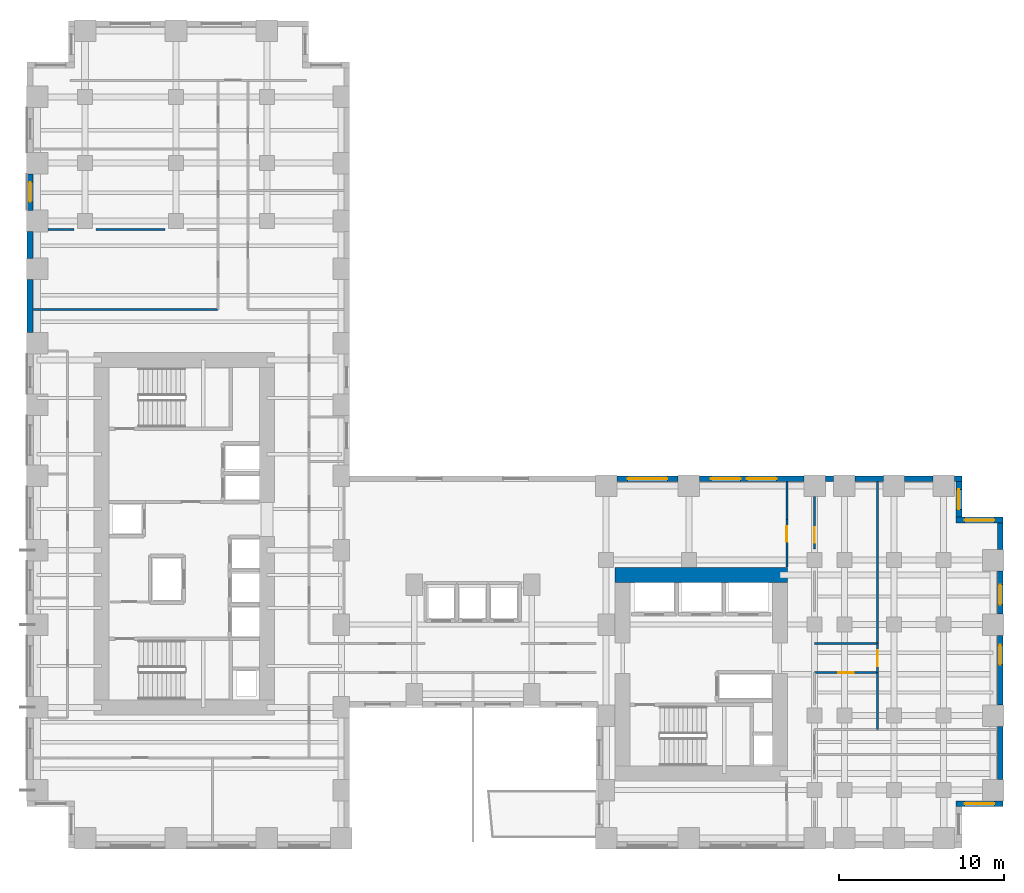
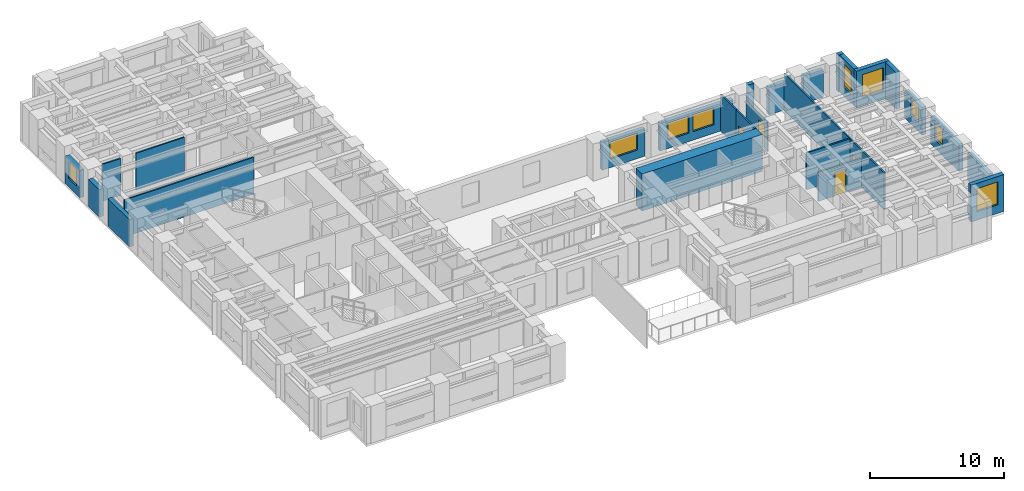
# One storey, part 8 of 13: 28 walls, 9 windows, 4 doors, 13 openings.
"""IFC4 building model written with IfcOpenShell, lengths in metres."""

import ifcopenshell
import ifcopenshell.guid

model = None  # the IFC model being written
_history = None  # IfcOwnerHistory: only IFC2X3 demands one
_inside = {}  # id of a spatial element -> (the spatial element, [elements in it])
_under = {}  # id of a project, library or spatial element -> (it, [spatial elements below it])
_declared = {}  # id of a project -> (the project, [libraries it declares])
_typed = {}  # id of a type object -> (the type object, [elements of that type])
_made_of = {}  # id of a material, layer set ... -> (it, [elements and type objects made of it])


def new_model(schema):
    """Start an empty IFC model of exactly this schema.

    Asked for "IFC4X3", IfcOpenShell would pick the latest addendum, in which some entities
    have other attributes; the version numbers below select the first issue.
    IFC2X3 requires an IfcOwnerHistory on every rooted entity: one is made here for all.
    """
    global model, _history
    if schema == "IFC4X3":
        model = ifcopenshell.file(schema_version=(4, 3, 0, 0))
    else:
        model = ifcopenshell.file(schema=schema)
    _inside.clear()
    _under.clear()
    _declared.clear()
    _typed.clear()
    _made_of.clear()
    _history = None
    if model.schema == "IFC2X3":
        org = make("IfcOrganization", Name="unknown")
        user = make(
            "IfcPersonAndOrganization",
            ThePerson=make("IfcPerson", FamilyName="unknown"),
            TheOrganization=org,
        )
        app = make(
            "IfcApplication",
            ApplicationDeveloper=org,
            Version="unknown",
            ApplicationFullName="unknown",
            ApplicationIdentifier="unknown",
        )
        _history = make(
            "IfcOwnerHistory",
            OwningUser=user,
            OwningApplication=app,
            ChangeAction="ADDED",
            CreationDate=0,
        )
    return model


def make(cls, **values):
    """One entity of the class cls with the attributes given. An attribute that is None is left unset."""
    return model.create_entity(
        cls, **{name: value for name, value in values.items() if value is not None}
    )


def rooted(cls, **values):
    """An entity with a GlobalId (a new one), such as an element, a storey or a relation."""
    return make(cls, GlobalId=ifcopenshell.guid.new(), OwnerHistory=_history, **values)


def si_unit(unit_type, name, prefix=None):
    """IfcSIUnit, for example si_unit("LENGTHUNIT", "METRE", prefix="MILLI")."""
    return make("IfcSIUnit", UnitType=unit_type, Prefix=prefix, Name=name)


def assignment(units):
    """IfcUnitAssignment: the units of a project."""
    return None if units is None else make("IfcUnitAssignment", Units=units)


def point(xyz):
    """IfcCartesianPoint."""
    return None if xyz is None else make("IfcCartesianPoint", Coordinates=xyz)


def direction(xyz):
    """IfcDirection."""
    return None if xyz is None else make("IfcDirection", DirectionRatios=xyz)


def frame(location, z_axis=None, x_axis=None):
    """IfcAxis2Placement3D, a coordinate frame: its origin and axes. An axis left out is left unset."""
    return make(
        "IfcAxis2Placement3D",
        Location=point(location),
        Axis=direction(z_axis),
        RefDirection=direction(x_axis),
    )


def frame_2d(location, x_axis=None):
    """IfcAxis2Placement2D, a coordinate frame in the plane: its origin and x axis."""
    return make(
        "IfcAxis2Placement2D", Location=point(location), RefDirection=direction(x_axis)
    )


def origin():
    """The frame at (0, 0, 0) with its axes left unset."""
    return frame((0.0, 0.0, 0.0))


def place(relative_to, where):
    """IfcLocalPlacement: puts the frame where relative to a parent placement (None: the world)."""
    return make(
        "IfcLocalPlacement", PlacementRelTo=relative_to, RelativePlacement=where
    )


def context(
    kind, dimensions, precision=None, world=None, true_north=None, identifier=None
):
    """IfcGeometricRepresentationContext, for example the 3D "Model" context."""
    return make(
        "IfcGeometricRepresentationContext",
        ContextIdentifier=identifier,
        ContextType=kind,
        CoordinateSpaceDimension=dimensions,
        Precision=precision,
        WorldCoordinateSystem=world,
        TrueNorth=true_north,
    )


def subcontext(parent, identifier, kind, view, scale=None):
    """IfcGeometricRepresentationSubContext, for example "Body" below "Model"."""
    return make(
        "IfcGeometricRepresentationSubContext",
        ContextIdentifier=identifier,
        ContextType=kind,
        ParentContext=parent,
        TargetScale=scale,
        TargetView=view,
    )


def project(units=None, contexts=None):
    """IfcProject with its units and contexts."""
    return rooted(
        "IfcProject",
        Name="project",
        RepresentationContexts=contexts,
        UnitsInContext=assignment(units),
    )


def spatial(cls, under=None, at=None, **own):
    """A site, building, storey or space (cls), placed at a placement, below another one or the project."""
    s = rooted(cls, ObjectPlacement=at, **own)
    if under is not None:
        _under.setdefault(under.id(), (under, []))[1].append(s)
    return s


def profile(cls, at=None, kind="AREA", **sizes):
    """A parametric profile (cls). Its sizes go by their IFC names, for example OverallWidth=200.0."""
    return make(cls, ProfileType=kind, Position=at, **sizes)


def rectangle(**sizes):
    """IfcRectangleProfileDef."""
    return profile("IfcRectangleProfileDef", **sizes)


def extrude(swept, where, along, depth):
    """IfcExtrudedAreaSolid: the profile swept, set in the frame where, extruded along a direction by depth."""
    return make(
        "IfcExtrudedAreaSolid",
        SweptArea=swept,
        Position=where,
        ExtrudedDirection=direction(along),
        Depth=depth,
    )


def shape(context_of_items, identifier, shape_type, items):
    """IfcShapeRepresentation: the items that make up one representation, for example the "Body"."""
    return make(
        "IfcShapeRepresentation",
        ContextOfItems=context_of_items,
        RepresentationIdentifier=identifier,
        RepresentationType=shape_type,
        Items=items,
    )


def source(mapping_origin, context_of_items, identifier, shape_type, items):
    """IfcRepresentationMap: a shape defined once, which mapped items show again and again."""
    return make(
        "IfcRepresentationMap",
        MappingOrigin=mapping_origin,
        MappedRepresentation=shape(context_of_items, identifier, shape_type, items),
    )


def transform(
    local_origin,
    x_axis=None,
    y_axis=None,
    z_axis=None,
    scale=None,
    scale2=None,
    scale3=None,
    uniform=True,
):
    """IfcCartesianTransformationOperator3D, or its non-uniform kind. x_axis, y_axis, z_axis: its Axis1, 2, 3."""
    if uniform:
        return make(
            "IfcCartesianTransformationOperator3D",
            Axis1=direction(x_axis),
            Axis2=direction(y_axis),
            LocalOrigin=point(local_origin),
            Scale=scale,
            Axis3=direction(z_axis),
        )
    return make(
        "IfcCartesianTransformationOperator3DnonUniform",
        Axis1=direction(x_axis),
        Axis2=direction(y_axis),
        LocalOrigin=point(local_origin),
        Scale=scale,
        Axis3=direction(z_axis),
        Scale2=scale2,
        Scale3=scale3,
    )


def mapped(mapping_source, mapping_target):
    """IfcMappedItem: shows the shape of a source again, moved by a transform."""
    return make(
        "IfcMappedItem", MappingSource=mapping_source, MappingTarget=mapping_target
    )


def material(Name=None, Category=None):
    """IfcMaterial."""
    return make("IfcMaterial", Name=Name, Category=Category)


def layer(
    of_material, thickness, ventilated=None, Name=None, Category=None, Priority=None
):
    """IfcMaterialLayer: one layer of a wall or slab, of a material (None: an air gap)."""
    return make(
        "IfcMaterialLayer",
        Material=of_material,
        LayerThickness=thickness,
        IsVentilated=ventilated,
        Name=Name,
        Category=Category,
        Priority=Priority,
    )


def layer_set(layers, Name=None):
    """IfcMaterialLayerSet."""
    return make("IfcMaterialLayerSet", MaterialLayers=layers, LayerSetName=Name)


def made_of(thing, what):
    """Note that an element or type object is made of a material, layer set ...; save() writes the relation."""
    if what is not None:
        _made_of.setdefault(what.id(), (what, []))[1].append(thing)
    return thing


def type_object(cls, material=None, **own):
    """A type object (cls), such as IfcWallType, which elements share."""
    return made_of(rooted(cls, **own), material)


def element(
    cls,
    number,
    at=None,
    inside=None,
    cuts=None,
    type_object=None,
    material=None,
    context=None,
    identifier="Body",
    shape_type=None,
    held_by="IfcProductDefinitionShape",
    body=None,
    shapes=None,
    **own,
):
    """One element of the class cls, such as IfcWall. Its Tag is "e" and its number.

    at: its placement. inside: the storey or other place that contains it. cuts: it is an
    opening in that element (IfcRelVoidsElement). A single representation is given by context,
    identifier, shape_type and body (its items); several are given by shapes. held_by: the class
    of the entity that holds the representations. save() writes the other relations.
    """
    e = rooted(cls, Tag="e%d" % number, ObjectPlacement=at, **own)
    if body is not None:
        shapes = [shape(context, identifier, shape_type, body)]
    if shapes is not None:
        e.Representation = make(held_by, Representations=shapes)
    if inside is not None:
        _inside.setdefault(inside.id(), (inside, []))[1].append(e)
    if cuts is not None:
        rooted(
            "IfcRelVoidsElement", RelatingBuildingElement=cuts, RelatedOpeningElement=e
        )
    if type_object is not None:
        _typed.setdefault(type_object.id(), (type_object, []))[1].append(e)
    return made_of(e, material)


def fill(opening, filler):
    """IfcRelFillsElement: the door or window that sits in an opening."""
    return rooted(
        "IfcRelFillsElement",
        RelatingOpeningElement=opening,
        RelatedBuildingElement=filler,
    )


def aggregate(whole, parts):
    """IfcRelAggregates: a whole, such as a stair, and the parts it consists of."""
    return rooted("IfcRelAggregates", RelatingObject=whole, RelatedObjects=parts)


def save(model, path):
    """Write the relations noted so far, then the file.

    IfcRelAggregates (storeys below a building ...), IfcRelContainedInSpatialStructure (elements
    in a storey), IfcRelDefinesByType, IfcRelAssociatesMaterial and IfcRelDeclares: one each for
    every whole, place, type object, material and project.
    """
    for whole, parts in _under.values():
        aggregate(whole, parts)
    for where, things in _inside.values():
        rooted(
            "IfcRelContainedInSpatialStructure",
            RelatedElements=things,
            RelatingStructure=where,
        )
    for kind, things in _typed.values():
        rooted("IfcRelDefinesByType", RelatedObjects=things, RelatingType=kind)
    for what, things in _made_of.values():
        rooted("IfcRelAssociatesMaterial", RelatedObjects=things, RelatingMaterial=what)
    for by, libraries in _declared.values():
        rooted("IfcRelDeclares", RelatingContext=by, RelatedDefinitions=libraries)
    model.write(path)


model = new_model("IFC4")

# Units and contexts
model_context = context("Model", 3, precision=1e-05, world=origin(), true_north=direction((0.0, 1.0)))
body_context = subcontext(model_context, "Body", "Model", "MODEL_VIEW")
ifc_project = project(units=[si_unit("LENGTHUNIT", "METRE"), si_unit("AREAUNIT", "SQUARE_METRE"), si_unit("VOLUMEUNIT", "CUBIC_METRE"), si_unit("PLANEANGLEUNIT", "RADIAN"), si_unit("MASSUNIT", "GRAM", prefix="KILO")], contexts=[model_context])

# Site, building, storey
site_placement = place(None, origin())
site = spatial("IfcSite", under=ifc_project, at=site_placement, CompositionType="ELEMENT")
building_placement = place(site_placement, origin())
building = spatial("IfcBuilding", under=site, at=building_placement, Name="Kharzan Plaza Tower", CompositionType="ELEMENT")
storey_placement = place(building_placement, frame((0.0, 0.0, 47.699951171875)))
storey = spatial("IfcBuildingStorey", under=building, at=storey_placement, Name="L12", CompositionType="ELEMENT", Elevation=47.699951171875)

# Wall, opening, window
ifc_material_1 = material(Name="Concrete C40/50", Category="concrete")
ifc_layer_1 = layer(ifc_material_1, 0.35009765625)
ifc_layer_set_1 = layer_set([ifc_layer_1], Name="Concrete C40/50")
wall_type_1 = type_object("IfcWallType", Name="WL-EXT-MAS-Z1", PredefinedType="SOLIDWALL", material=ifc_layer_set_1)
wall_1_placement = place(storey_placement, frame((0.175048828125, 40.751953125, 0.0), z_axis=(0.0, 0.0, 1.0), x_axis=(0.0, -1.0, 0.0)))
wall_1 = element("IfcWall", 1, at=wall_1_placement, inside=storey, type_object=wall_type_1, Name="L12 Masonry-Frame Exterior Wall 11", PredefinedType="SOLIDWALL", context=body_context, shape_type="SweptSolid", body=[
    extrude(rectangle(XDim=2.203857421875, YDim=0.35009765625, at=frame_2d((1.10205078125, 0.0))), origin(), (0.0, 0.0, 1.0), 2.510009765625),
])
opening_1_placement = place(wall_1_placement, frame((0.501953125, 0.0, 0.780029296875)))
opening_1 = element("IfcOpeningElement", 2, at=opening_1_placement, cuts=wall_1, Name="Opening W3", PredefinedType="OPENING", context=body_context, shape_type="SweptSolid", body=[
    extrude(rectangle(XDim=1.199951171875, YDim=1.550048828125, at=frame_2d((0.60009765625, 0.77490234375))), frame((0.0, 0.18505859375, 0.0), z_axis=(0.0, -1.0, 0.0), x_axis=(1.0, 0.0, 0.0)), (0.0, 0.0, 1.0), 0.3701171875),
])
ifc_material_2 = material(Name="Low-E Double Glazing", Category="glass")
window_type_1 = type_object("IfcWindowType", Name="WN-REC-1200x2100", PartitioningType="SINGLE_PANEL", PredefinedType="WINDOW", material=ifc_material_2)
shared_shape_1 = source(origin(), body_context, "Body", "SweptSolid", [
    extrude(rectangle(XDim=1.199951171875, YDim=1.550048828125, at=frame_2d((0.60009765625, 0.77490234375))), frame((0.0, 0.030029296875, 0.0), z_axis=(0.0, -1.0, 0.0), x_axis=(1.0, 0.0, 0.0)), (0.0, 0.0, 1.0), 0.06005859375),
])
window_1_placement = place(opening_1_placement, origin())
window_1 = element("IfcWindow", 3, at=window_1_placement, inside=storey, type_object=window_type_1, Name="L12 Recessed Solar-Control Window 11-1", OverallHeight=1.550048828125, OverallWidth=1.199951171875, PartitioningType="SINGLE_PANEL", PredefinedType="WINDOW", context=body_context, shape_type="MappedRepresentation", body=[
    mapped(shared_shape_1, transform((0.0, 0.0, 0.0), x_axis=(1.0, 0.0, 0.0), y_axis=(0.0, 1.0, 0.0), z_axis=(0.0, 0.0, 1.0))),
])
fill(opening_1, window_1)

wall_2_placement = place(storey_placement, frame((56.14990234375, 2.675048828125, 0.0), z_axis=(0.0, 0.0, 1.0), x_axis=(1.0, 0.0, 0.0)))
wall_2 = element("IfcWall", 4, at=wall_2_placement, inside=storey, type_object=wall_type_1, Name="L12 Masonry-Frame Exterior Wall 40", PredefinedType="SOLIDWALL", context=body_context, shape_type="SweptSolid", body=[
    extrude(rectangle(XDim=2.85009765625, YDim=0.35009765625, at=frame_2d((1.425048828125, 0.0))), origin(), (0.0, 0.0, 1.0), 3.364990234375),
])
opening_2_placement = place(wall_2_placement, frame((0.52490234375, 0.0, 0.780029296875)))
opening_2 = element("IfcOpeningElement", 5, at=opening_2_placement, cuts=wall_2, Name="Opening W1", PredefinedType="OPENING", context=body_context, shape_type="SweptSolid", body=[
    extrude(rectangle(XDim=1.800048828125, YDim=2.10009765625, at=frame_2d((0.89990234375, 1.050048828125))), frame((0.0, 0.18505859375, 0.0), z_axis=(0.0, -1.0, 0.0), x_axis=(1.0, 0.0, 0.0)), (0.0, 0.0, 1.0), 0.3701171875),
])
window_type_2 = type_object("IfcWindowType", Name="WN-REC-1800x2100", PartitioningType="SINGLE_PANEL", PredefinedType="WINDOW", material=ifc_material_2)
shared_shape_2 = source(origin(), body_context, "Body", "SweptSolid", [
    extrude(rectangle(XDim=1.800048828125, YDim=2.10009765625, at=frame_2d((0.89990234375, 1.050048828125))), frame((0.0, 0.030029296875, 0.0), z_axis=(0.0, -1.0, 0.0), x_axis=(1.0, 0.0, 0.0)), (0.0, 0.0, 1.0), 0.06005859375),
])
window_2_placement = place(opening_2_placement, origin())
window_2 = element("IfcWindow", 6, at=window_2_placement, inside=storey, type_object=window_type_2, Name="L12 Recessed Solar-Control Window 40-1", OverallHeight=2.10009765625, OverallWidth=1.800048828125, PartitioningType="SINGLE_PANEL", PredefinedType="WINDOW", context=body_context, shape_type="MappedRepresentation", body=[
    mapped(shared_shape_2, transform((0.0, 0.0, 0.0), x_axis=(1.0, 0.0, 0.0), y_axis=(0.0, 1.0, 0.0), z_axis=(0.0, 0.0, 1.0))),
])
fill(opening_2, window_2)

wall_3_placement = place(storey_placement, frame((58.824951171875, 8.64794921875, 0.0), z_axis=(0.0, 0.0, 1.0), x_axis=(0.0, 1.0, 0.0)))
wall_3 = element("IfcWall", 7, at=wall_3_placement, inside=storey, type_object=wall_type_1, Name="L12 Masonry-Frame Exterior Wall 42", PredefinedType="SOLIDWALL", context=body_context, shape_type="SweptSolid", body=[
    extrude(rectangle(XDim=4.2041015625, YDim=0.35009765625, at=frame_2d((2.10205078125, 0.0))), origin(), (0.0, 0.0, 1.0), 2.510009765625),
])
opening_3_placement = place(wall_3_placement, frame((2.436767578125, 0.0, 0.780029296875)))
opening_3 = element("IfcOpeningElement", 8, at=opening_3_placement, cuts=wall_3, Name="Opening W3", PredefinedType="OPENING", context=body_context, shape_type="SweptSolid", body=[
    extrude(rectangle(XDim=1.199951171875, YDim=1.550048828125, at=frame_2d((0.60009765625, 0.77490234375))), frame((0.0, 0.18505859375, 0.0), z_axis=(0.0, -1.0, 0.0), x_axis=(1.0, 0.0, 0.0)), (0.0, 0.0, 1.0), 0.3701171875),
])
window_3_placement = place(opening_3_placement, origin())
window_3 = element("IfcWindow", 9, at=window_3_placement, inside=storey, type_object=window_type_1, Name="L12 Recessed Solar-Control Window 42-1", OverallHeight=1.550048828125, OverallWidth=1.199951171875, PartitioningType="SINGLE_PANEL", PredefinedType="WINDOW", context=body_context, shape_type="MappedRepresentation", body=[
    mapped(shared_shape_1, transform((0.0, 0.0, 0.0), x_axis=(1.0, 0.0, 0.0), y_axis=(0.0, 1.0, 0.0), z_axis=(0.0, 0.0, 1.0))),
])
fill(opening_3, window_3)

wall_4_placement = place(storey_placement, frame((58.824951171875, 14.14794921875, 0.0), z_axis=(0.0, 0.0, 1.0), x_axis=(0.0, 1.0, 0.0)))
wall_4 = element("IfcWall", 10, at=wall_4_placement, inside=storey, type_object=wall_type_1, Name="L12 Masonry-Frame Exterior Wall 43", PredefinedType="SOLIDWALL", context=body_context, shape_type="SweptSolid", body=[
    extrude(rectangle(XDim=2.60400390625, YDim=0.35009765625, at=frame_2d((1.302001953125, 0.0))), origin(), (0.0, 0.0, 1.0), 2.510009765625),
])
opening_4_placement = place(wall_4_placement, frame((0.5673828125, 0.0, 0.780029296875)))
opening_4 = element("IfcOpeningElement", 11, at=opening_4_placement, cuts=wall_4, Name="Opening W3", PredefinedType="OPENING", context=body_context, shape_type="SweptSolid", body=[
    extrude(rectangle(XDim=1.199951171875, YDim=1.550048828125, at=frame_2d((0.60009765625, 0.77490234375))), frame((0.0, 0.18505859375, 0.0), z_axis=(0.0, -1.0, 0.0), x_axis=(1.0, 0.0, 0.0)), (0.0, 0.0, 1.0), 0.3701171875),
])
window_4_placement = place(opening_4_placement, origin())
window_4 = element("IfcWindow", 12, at=window_4_placement, inside=storey, type_object=window_type_1, Name="L12 Recessed Solar-Control Window 43-1", OverallHeight=1.550048828125, OverallWidth=1.199951171875, PartitioningType="SINGLE_PANEL", PredefinedType="WINDOW", context=body_context, shape_type="MappedRepresentation", body=[
    mapped(shared_shape_1, transform((0.0, 0.0, 0.0), x_axis=(1.0, 0.0, 0.0), y_axis=(0.0, 1.0, 0.0), z_axis=(0.0, 0.0, 1.0))),
])
fill(opening_4, window_4)

wall_5_placement = place(storey_placement, frame((59.0, 19.824951171875, 0.0), z_axis=(0.0, 0.0, 1.0), x_axis=(-1.0, 0.0, 0.0)))
wall_5 = element("IfcWall", 13, at=wall_5_placement, inside=storey, type_object=wall_type_1, Name="L12 Masonry-Frame Exterior Wall 45", PredefinedType="SOLIDWALL", context=body_context, shape_type="SweptSolid", body=[
    extrude(rectangle(XDim=2.85009765625, YDim=0.35009765625, at=frame_2d((1.425048828125, 0.0))), origin(), (0.0, 0.0, 1.0), 3.364990234375),
])
opening_5_placement = place(wall_5_placement, frame((0.52490234375, 0.0, 0.780029296875)))
opening_5 = element("IfcOpeningElement", 14, at=opening_5_placement, cuts=wall_5, Name="Opening W1", PredefinedType="OPENING", context=body_context, shape_type="SweptSolid", body=[
    extrude(rectangle(XDim=1.800048828125, YDim=2.10009765625, at=frame_2d((0.89990234375, 1.050048828125))), frame((0.0, 0.18505859375, 0.0), z_axis=(0.0, -1.0, 0.0), x_axis=(1.0, 0.0, 0.0)), (0.0, 0.0, 1.0), 0.3701171875),
])
window_5_placement = place(opening_5_placement, origin())
window_5 = element("IfcWindow", 15, at=window_5_placement, inside=storey, type_object=window_type_2, Name="L12 Recessed Solar-Control Window 45-1", OverallHeight=2.10009765625, OverallWidth=1.800048828125, PartitioningType="SINGLE_PANEL", PredefinedType="WINDOW", context=body_context, shape_type="MappedRepresentation", body=[
    mapped(shared_shape_2, transform((0.0, 0.0, 0.0), x_axis=(1.0, 0.0, 0.0), y_axis=(0.0, 1.0, 0.0), z_axis=(0.0, 0.0, 1.0))),
])
fill(opening_5, window_5)

wall_6_placement = place(storey_placement, frame((56.324951171875, 19.998046875, 0.0), z_axis=(0.0, 0.0, 1.0), x_axis=(0.0, 1.0, 0.0)))
wall_6 = element("IfcWall", 16, at=wall_6_placement, inside=storey, type_object=wall_type_1, Name="L12 Masonry-Frame Exterior Wall 46", PredefinedType="SOLIDWALL", context=body_context, shape_type="SweptSolid", body=[
    extrude(rectangle(XDim=2.154052734375, YDim=0.35009765625, at=frame_2d((1.0771484375, 0.0))), origin(), (0.0, 0.0, 1.0), 3.364990234375),
])
opening_6_placement = place(wall_6_placement, frame((0.47705078125, 0.0, 0.780029296875)))
opening_6 = element("IfcOpeningElement", 17, at=opening_6_placement, cuts=wall_6, Name="Opening W3", PredefinedType="OPENING", context=body_context, shape_type="SweptSolid", body=[
    extrude(rectangle(XDim=1.199951171875, YDim=2.10009765625, at=frame_2d((0.60009765625, 1.050048828125))), frame((0.0, 0.18505859375, 0.0), z_axis=(0.0, -1.0, 0.0), x_axis=(1.0, 0.0, 0.0)), (0.0, 0.0, 1.0), 0.3701171875),
])
shared_shape_3 = source(origin(), body_context, "Body", "SweptSolid", [
    extrude(rectangle(XDim=1.199951171875, YDim=2.10009765625, at=frame_2d((0.60009765625, 1.050048828125))), frame((0.0, 0.030029296875, 0.0), z_axis=(0.0, -1.0, 0.0), x_axis=(1.0, 0.0, 0.0)), (0.0, 0.0, 1.0), 0.06005859375),
])
window_6_placement = place(opening_6_placement, origin())
window_6 = element("IfcWindow", 18, at=window_6_placement, inside=storey, type_object=window_type_1, Name="L12 Recessed Solar-Control Window 46-1", OverallHeight=2.10009765625, OverallWidth=1.199951171875, PartitioningType="SINGLE_PANEL", PredefinedType="WINDOW", context=body_context, shape_type="MappedRepresentation", body=[
    mapped(shared_shape_3, transform((0.0, 0.0, 0.0), x_axis=(1.0, 0.0, 0.0), y_axis=(0.0, 1.0, 0.0), z_axis=(0.0, 0.0, 1.0))),
])
fill(opening_6, window_6)

# Wall, openings, windows
wall_7_placement = place(storey_placement, frame((46.951904296875, 22.324951171875, 0.0), z_axis=(0.0, 0.0, 1.0), x_axis=(-1.0, 0.0, 0.0)))
wall_7 = element("IfcWall", 19, at=wall_7_placement, inside=storey, type_object=wall_type_1, Name="L12 Masonry-Frame Exterior Wall 51", PredefinedType="SOLIDWALL", context=body_context, shape_type="SweptSolid", body=[
    extrude(rectangle(XDim=6.303955078125, YDim=0.35009765625, at=frame_2d((3.15185546875, 0.0))), origin(), (0.0, 0.0, 1.0), 2.510009765625),
])
opening_7_placement = place(wall_7_placement, frame((1.6494140625, 0.0, 0.780029296875)))
opening_7 = element("IfcOpeningElement", 20, at=opening_7_placement, cuts=wall_7, Name="Opening W1", PredefinedType="OPENING", context=body_context, shape_type="SweptSolid", body=[
    extrude(rectangle(XDim=1.800048828125, YDim=1.550048828125, at=frame_2d((0.89990234375, 0.77490234375))), frame((0.0, 0.18505859375, 0.0), z_axis=(0.0, -1.0, 0.0), x_axis=(1.0, 0.0, 0.0)), (0.0, 0.0, 1.0), 0.3701171875),
])
opening_8_placement = place(wall_7_placement, frame((3.816650390625, 0.0, 0.780029296875)))
opening_8 = element("IfcOpeningElement", 21, at=opening_8_placement, cuts=wall_7, Name="Opening W1", PredefinedType="OPENING", context=body_context, shape_type="SweptSolid", body=[
    extrude(rectangle(XDim=1.800048828125, YDim=1.550048828125, at=frame_2d((0.89990234375, 0.77490234375))), frame((0.0, 0.18505859375, 0.0), z_axis=(0.0, -1.0, 0.0), x_axis=(1.0, 0.0, 0.0)), (0.0, 0.0, 1.0), 0.3701171875),
])
shared_shape_4 = source(origin(), body_context, "Body", "SweptSolid", [
    extrude(rectangle(XDim=1.800048828125, YDim=1.550048828125, at=frame_2d((0.89990234375, 0.77490234375))), frame((0.0, 0.030029296875, 0.0), z_axis=(0.0, -1.0, 0.0), x_axis=(1.0, 0.0, 0.0)), (0.0, 0.0, 1.0), 0.06005859375),
])
window_7_placement = place(opening_7_placement, origin())
window_7 = element("IfcWindow", 22, at=window_7_placement, inside=storey, type_object=window_type_2, Name="L12 Recessed Solar-Control Window 51-1", OverallHeight=1.550048828125, OverallWidth=1.800048828125, PartitioningType="SINGLE_PANEL", PredefinedType="WINDOW", context=body_context, shape_type="MappedRepresentation", body=[
    mapped(shared_shape_4, transform((0.0, 0.0, 0.0), x_axis=(1.0, 0.0, 0.0), y_axis=(0.0, 1.0, 0.0), z_axis=(0.0, 0.0, 1.0))),
])
fill(opening_7, window_7)
window_8_placement = place(opening_8_placement, origin())
window_8 = element("IfcWindow", 23, at=window_8_placement, inside=storey, type_object=window_type_2, Name="L12 Recessed Solar-Control Window 51-2", OverallHeight=1.550048828125, OverallWidth=1.800048828125, PartitioningType="SINGLE_PANEL", PredefinedType="WINDOW", context=body_context, shape_type="MappedRepresentation", body=[
    mapped(shared_shape_4, transform((0.0, 0.0, 0.0), x_axis=(1.0, 0.0, 0.0), y_axis=(0.0, 1.0, 0.0), z_axis=(0.0, 0.0, 1.0))),
])
fill(opening_8, window_8)

# Wall, opening, window
wall_8_placement = place(storey_placement, frame((39.35205078125, 22.324951171875, 0.0), z_axis=(0.0, 0.0, 1.0), x_axis=(-1.0, 0.0, 0.0)))
wall_8 = element("IfcWall", 24, at=wall_8_placement, inside=storey, type_object=wall_type_1, Name="L12 Masonry-Frame Exterior Wall 52", PredefinedType="SOLIDWALL", context=body_context, shape_type="SweptSolid", body=[
    extrude(rectangle(XDim=3.7041015625, YDim=0.35009765625, at=frame_2d((1.85205078125, 0.0))), origin(), (0.0, 0.0, 1.0), 2.510009765625),
])
opening_9_placement = place(wall_8_placement, frame((0.652099609375, 0.0, 0.780029296875)))
opening_9 = element("IfcOpeningElement", 25, at=opening_9_placement, cuts=wall_8, Name="Opening W2", PredefinedType="OPENING", context=body_context, shape_type="SweptSolid", body=[
    extrude(rectangle(XDim=2.39990234375, YDim=1.550048828125, at=frame_2d((1.199951171875, 0.77490234375))), frame((0.0, 0.18505859375, 0.0), z_axis=(0.0, -1.0, 0.0), x_axis=(1.0, 0.0, 0.0)), (0.0, 0.0, 1.0), 0.3701171875),
])
window_type_3 = type_object("IfcWindowType", Name="WN-REC-2400x2100", PartitioningType="SINGLE_PANEL", PredefinedType="WINDOW", material=ifc_material_2)
shared_shape_5 = source(origin(), body_context, "Body", "SweptSolid", [
    extrude(rectangle(XDim=2.39990234375, YDim=1.550048828125, at=frame_2d((1.199951171875, 0.77490234375))), frame((0.0, 0.030029296875, 0.0), z_axis=(0.0, -1.0, 0.0), x_axis=(1.0, 0.0, 0.0)), (0.0, 0.0, 1.0), 0.06005859375),
])
window_9_placement = place(opening_9_placement, origin())
window_9 = element("IfcWindow", 26, at=window_9_placement, inside=storey, type_object=window_type_3, Name="L12 Wide Recessed Solar-Control Window 52-1", OverallHeight=1.550048828125, OverallWidth=2.39990234375, PartitioningType="SINGLE_PANEL", PredefinedType="WINDOW", context=body_context, shape_type="MappedRepresentation", body=[
    mapped(shared_shape_5, transform((0.0, 0.0, 0.0), x_axis=(1.0, 0.0, 0.0), y_axis=(0.0, 1.0, 0.0), z_axis=(0.0, 0.0, 1.0))),
])
fill(opening_9, window_9)

# Wall, opening, door
ifc_material_3 = material(Name="Fire-Rated Gypsum Board Partition", Category="gypsum")
ifc_layer_2 = layer(ifc_material_3, 0.125)
ifc_layer_set_2 = layer_set([ifc_layer_2], Name="Fire-Rated Gypsum Board Partition")
wall_type_2 = type_object("IfcWallType", Name="WL-INT-PART-125", PredefinedType="PARTITIONING", material=ifc_layer_set_2)
wall_9_placement = place(storey_placement, frame((51.39990234375, 10.60009765625, 0.0), z_axis=(0.0, 0.0, 1.0), x_axis=(0.0, 1.0, 0.0)))
wall_9 = element("IfcWall", 27, at=wall_9_placement, inside=storey, type_object=wall_type_2, Name="L12 Interior Partition SH-B2E2", PredefinedType="PARTITIONING", context=body_context, shape_type="SweptSolid", body=[
    extrude(rectangle(XDim=1.75, YDim=0.125, at=frame_2d((0.875, 0.0))), origin(), (0.0, 0.0, 1.0), 3.364990234375),
])
opening_10_placement = place(wall_9_placement, frame((0.39990234375, 0.0, 0.0)))
opening_10 = element("IfcOpeningElement", 28, at=opening_10_placement, cuts=wall_9, Name="Opening OD1", PredefinedType="OPENING", context=body_context, shape_type="SweptSolid", body=[
    extrude(rectangle(XDim=0.949951171875, YDim=2.14990234375, at=frame_2d((0.47509765625, 1.074951171875))), frame((0.0, 0.072509765625, 0.0), z_axis=(0.0, -1.0, 0.0), x_axis=(1.0, 0.0, 0.0)), (0.0, 0.0, 1.0), 0.14501953125),
])
ifc_material_4 = material(Name="Acoustic Solid-Core Stained Oak", Category="timber")
door_type = type_object("IfcDoorType", Name="DR-OFF-SINGLE", OperationType="NOTDEFINED", PredefinedType="DOOR", material=ifc_material_4)
shared_shape_6 = source(origin(), body_context, "Body", "SweptSolid", [
    extrude(rectangle(XDim=0.949951171875, YDim=2.14990234375, at=frame_2d((0.47509765625, 1.074951171875))), frame((0.0, 0.02490234375, 0.0), z_axis=(0.0, -1.0, 0.0), x_axis=(1.0, 0.0, 0.0)), (0.0, 0.0, 1.0), 0.050048828125),
])
door_1_placement = place(opening_10_placement, origin())
door_1 = element("IfcDoor", 29, at=door_1_placement, inside=storey, type_object=door_type, Name="L12 East Boardroom Door", OperationType="SINGLE_SWING_RIGHT", OverallHeight=2.14990234375, OverallWidth=0.949951171875, PredefinedType="DOOR", context=body_context, shape_type="MappedRepresentation", body=[
    mapped(shared_shape_6, transform((0.0, 0.0, 0.0), x_axis=(1.0, 0.0, 0.0), y_axis=(0.0, 1.0, 0.0), z_axis=(0.0, 0.0, 1.0))),
])
fill(opening_10, door_1)

wall_10_placement = place(storey_placement, frame((47.60009765625, 10.60009765625, 0.0), z_axis=(0.0, 0.0, 1.0), x_axis=(1.0, 0.0, 0.0)))
wall_10 = element("IfcWall", 30, at=wall_10_placement, inside=storey, type_object=wall_type_2, Name="L12 Interior Partition SH-B2S1", PredefinedType="PARTITIONING", context=body_context, shape_type="SweptSolid", body=[
    extrude(rectangle(XDim=3.7998046875, YDim=0.125, at=frame_2d((1.89990234375, 0.0))), origin(), (0.0, 0.0, 1.0), 2.670166015625),
])
opening_11_placement = place(wall_10_placement, frame((1.425048828125, 0.0, 0.0)))
opening_11 = element("IfcOpeningElement", 31, at=opening_11_placement, cuts=wall_10, Name="Opening OD1", PredefinedType="OPENING", context=body_context, shape_type="SweptSolid", body=[
    extrude(rectangle(XDim=0.949951171875, YDim=2.14990234375, at=frame_2d((0.47509765625, 1.074951171875))), frame((0.0, 0.072509765625, 0.0), z_axis=(0.0, -1.0, 0.0), x_axis=(1.0, 0.0, 0.0)), (0.0, 0.0, 1.0), 0.14501953125),
])
door_2_placement = place(opening_11_placement, origin())
door_2 = element("IfcDoor", 32, at=door_2_placement, inside=storey, type_object=door_type, Name="L12 Spur South Office Door", OperationType="SINGLE_SWING_LEFT", OverallHeight=2.14990234375, OverallWidth=0.949951171875, PredefinedType="DOOR", context=body_context, shape_type="MappedRepresentation", body=[
    mapped(shared_shape_6, transform((0.0, 0.0, 0.0), x_axis=(1.0, 0.0, 0.0), y_axis=(0.0, 1.0, 0.0), z_axis=(0.0, 0.0, 1.0))),
])
fill(opening_11, door_2)

wall_11_placement = place(storey_placement, frame((47.60009765625, 18.06005859375, 0.0), z_axis=(0.0, 0.0, 1.0), x_axis=(0.0, 1.0, 0.0)))
wall_11 = element("IfcWall", 33, at=wall_11_placement, inside=storey, type_object=wall_type_2, Name="L12 Interior Partition SH-B2W3D-S2", PredefinedType="PARTITIONING", context=body_context, shape_type="SweptSolid", body=[
    extrude(rectangle(XDim=3.179931640625, YDim=0.125, at=frame_2d((1.58984375, 0.0))), origin(), (0.0, 0.0, 1.0), 2.670166015625),
])
opening_12_placement = place(wall_11_placement, frame((0.3876953125, 0.0, 0.0)))
opening_12 = element("IfcOpeningElement", 34, at=opening_12_placement, cuts=wall_11, Name="Opening OD1", PredefinedType="OPENING", context=body_context, shape_type="SweptSolid", body=[
    extrude(rectangle(XDim=0.949951171875, YDim=2.14990234375, at=frame_2d((0.47509765625, 1.074951171875))), frame((0.0, 0.072509765625, 0.0), z_axis=(0.0, -1.0, 0.0), x_axis=(1.0, 0.0, 0.0)), (0.0, 0.0, 1.0), 0.14501953125),
])
door_3_placement = place(opening_12_placement, origin())
door_3 = element("IfcDoor", 35, at=door_3_placement, inside=storey, type_object=door_type, Name="L12 Spur North Office Door", OperationType="SINGLE_SWING_RIGHT", OverallHeight=2.14990234375, OverallWidth=0.949951171875, PredefinedType="DOOR", context=body_context, shape_type="MappedRepresentation", body=[
    mapped(shared_shape_6, transform((0.0, 0.0, 0.0), x_axis=(1.0, 0.0, 0.0), y_axis=(0.0, 1.0, 0.0), z_axis=(0.0, 0.0, 1.0))),
])
fill(opening_12, door_3)

wall_12_placement = place(storey_placement, frame((45.919921875, 16.97998046875, 0.0), z_axis=(0.0, 0.0, 1.0), x_axis=(0.0, 1.0, 0.0)))
wall_12 = element("IfcWall", 36, at=wall_12_placement, inside=storey, type_object=wall_type_2, Name="L12 Interior Partition SH-RBNE", PredefinedType="PARTITIONING", context=body_context, shape_type="SweptSolid", body=[
    extrude(rectangle(XDim=2.8701171875, YDim=0.125, at=frame_2d((1.43505859375, 0.0))), origin(), (0.0, 0.0, 1.0), 3.364990234375),
])
opening_13_placement = place(wall_12_placement, frame((1.51708984375, 0.0, 0.0)))
opening_13 = element("IfcOpeningElement", 37, at=opening_13_placement, cuts=wall_12, Name="Opening OD1", PredefinedType="OPENING", context=body_context, shape_type="SweptSolid", body=[
    extrude(rectangle(XDim=0.949951171875, YDim=2.14990234375, at=frame_2d((0.47509765625, 1.074951171875))), frame((0.0, 0.072509765625, 0.0), z_axis=(0.0, -1.0, 0.0), x_axis=(1.0, 0.0, 0.0)), (0.0, 0.0, 1.0), 0.14501953125),
])
door_4_placement = place(opening_13_placement, origin())
door_4 = element("IfcDoor", 38, at=door_4_placement, inside=storey, type_object=door_type, Name="L12 Wing B North Studio Door", OperationType="SINGLE_SWING_RIGHT", OverallHeight=2.14990234375, OverallWidth=0.949951171875, PredefinedType="DOOR", context=body_context, shape_type="MappedRepresentation", body=[
    mapped(shared_shape_6, transform((0.0, 0.0, 0.0), x_axis=(1.0, 0.0, 0.0), y_axis=(0.0, 1.0, 0.0), z_axis=(0.0, 0.0, 1.0))),
])
fill(opening_13, door_4)

# Walls
shared_shape_7 = source(origin(), body_context, "Body", "SweptSolid", [
    extrude(rectangle(XDim=1.60400390625, YDim=0.35009765625, at=frame_2d((0.802001953125, 0.0))), origin(), (0.0, 0.0, 1.0), 2.510009765625),
])
wall_13_placement = place(storey_placement, frame((0.175048828125, 37.251953125, 0.0), z_axis=(0.0, 0.0, 1.0), x_axis=(0.0, -1.0, 0.0)))
element("IfcWall", 39, at=wall_13_placement, inside=storey, type_object=wall_type_1, Name="L12 Masonry-Frame Exterior Wall 12", PredefinedType="SOLIDWALL", context=body_context, shape_type="MappedRepresentation", body=[
    mapped(shared_shape_7, transform((0.0, 0.0, 0.0), x_axis=(1.0, 0.0, 0.0), y_axis=(0.0, 1.0, 0.0), z_axis=(0.0, 0.0, 1.0))),
])
shared_shape_8 = source(origin(), body_context, "Body", "SweptSolid", [
    extrude(rectangle(XDim=0.50390625, YDim=0.35009765625, at=frame_2d((0.251953125, 0.0))), origin(), (0.0, 0.0, 1.0), 3.364990234375),
])
wall_14_placement = place(storey_placement, frame((48.751953125, 22.324951171875, 0.0), z_axis=(0.0, 0.0, 1.0), x_axis=(-1.0, 0.0, 0.0)))
element("IfcWall", 40, at=wall_14_placement, inside=storey, type_object=wall_type_1, Name="L12 Masonry-Frame Exterior Wall 50", PredefinedType="SOLIDWALL", context=body_context, shape_type="MappedRepresentation", body=[
    mapped(shared_shape_8, transform((0.0, 0.0, 0.0), x_axis=(1.0, 0.0, 0.0), y_axis=(0.0, 1.0, 0.0), z_axis=(0.0, 0.0, 1.0))),
])
shared_shape_9 = source(origin(), body_context, "Body", "SweptSolid", [
    extrude(rectangle(XDim=1.703857421875, YDim=0.35009765625, at=frame_2d((0.85205078125, 0.0))), origin(), (0.0, 0.0, 1.0), 2.510009765625),
])
for number, where, z_axis, x_axis, name in (
    (41, (54.751953125, 22.324951171875, 0.0), (0.0, 0.0, 1.0), (-1.0, 0.0, 0.0), "L12 Masonry-Frame Exterior Wall 48"),
    (42, (51.751953125, 22.324951171875, 0.0), (0.0, 0.0, 1.0), (-1.0, 0.0, 0.0), "L12 Masonry-Frame Exterior Wall 49"),
):
    element("IfcWall", number, at=place(storey_placement, frame(where, z_axis=z_axis, x_axis=x_axis)), inside=storey, type_object=wall_type_1, Name=name, PredefinedType="SOLIDWALL", context=body_context, shape_type="MappedRepresentation", body=[
        mapped(shared_shape_9, transform((0.0, 0.0, 0.0), x_axis=(1.0, 0.0, 0.0), y_axis=(0.0, 1.0, 0.0), z_axis=(0.0, 0.0, 1.0))),
    ])
shared_shape_10 = source(origin(), body_context, "Body", "SweptSolid", [
    extrude(rectangle(XDim=0.451904296875, YDim=0.35009765625, at=frame_2d((0.22607421875, 0.0))), origin(), (0.0, 0.0, 1.0), 3.364990234375),
])
wall_15_placement = place(storey_placement, frame((56.5, 22.324951171875, 0.0), z_axis=(0.0, 0.0, 1.0), x_axis=(-1.0, 0.0, 0.0)))
element("IfcWall", 43, at=wall_15_placement, inside=storey, type_object=wall_type_1, Name="L12 Masonry-Frame Exterior Wall 47", PredefinedType="SOLIDWALL", context=body_context, shape_type="MappedRepresentation", body=[
    mapped(shared_shape_10, transform((0.0, 0.0, 0.0), x_axis=(1.0, 0.0, 0.0), y_axis=(0.0, 1.0, 0.0), z_axis=(0.0, 0.0, 1.0))),
])
shared_shape_11 = source(origin(), body_context, "Body", "SweptSolid", [
    extrude(rectangle(XDim=3.2041015625, YDim=0.35009765625, at=frame_2d((1.60205078125, 0.0))), origin(), (0.0, 0.0, 1.0), 2.510009765625),
])
for number, where, z_axis, x_axis, name in (
    (44, (0.175048828125, 34.35205078125, 0.0), (0.0, 0.0, 1.0), (0.0, -1.0, 0.0), "L12 Masonry-Frame Exterior Wall 13"),
    (45, (58.824951171875, 4.14794921875, 0.0), (0.0, 0.0, 1.0), (0.0, 1.0, 0.0), "L12 Masonry-Frame Exterior Wall 41"),
):
    element("IfcWall", number, at=place(storey_placement, frame(where, z_axis=z_axis, x_axis=x_axis)), inside=storey, type_object=wall_type_1, Name=name, PredefinedType="SOLIDWALL", context=body_context, shape_type="MappedRepresentation", body=[
        mapped(shared_shape_11, transform((0.0, 0.0, 0.0), x_axis=(1.0, 0.0, 0.0), y_axis=(0.0, 1.0, 0.0), z_axis=(0.0, 0.0, 1.0))),
    ])
shared_shape_12 = source(origin(), body_context, "Body", "SweptSolid", [
    extrude(rectangle(XDim=1.60400390625, YDim=0.35009765625, at=frame_2d((0.802001953125, 0.0))), origin(), (0.0, 0.0, 1.0), 3.364990234375),
])
wall_16_placement = place(storey_placement, frame((58.824951171875, 18.048095703125, 0.0), z_axis=(0.0, 0.0, 1.0), x_axis=(0.0, 1.0, 0.0)))
element("IfcWall", 46, at=wall_16_placement, inside=storey, type_object=wall_type_1, Name="L12 Masonry-Frame Exterior Wall 44", PredefinedType="SOLIDWALL", context=body_context, shape_type="MappedRepresentation", body=[
    mapped(shared_shape_12, transform((0.0, 0.0, 0.0), x_axis=(1.0, 0.0, 0.0), y_axis=(0.0, 1.0, 0.0), z_axis=(0.0, 0.0, 1.0))),
])
shared_shape_13 = source(origin(), body_context, "Body", "SweptSolid", [
    extrude(rectangle(XDim=1.580078125, YDim=0.125, at=frame_2d((0.7900390625, 0.0))), origin(), (0.0, 0.0, 1.0), 3.364990234375),
])
wall_17_placement = place(storey_placement, frame((1.260009765625, 37.39697265625, 0.0), z_axis=(0.0, 0.0, 1.0), x_axis=(1.0, 0.0, 0.0)))
element("IfcWall", 47, at=wall_17_placement, inside=storey, type_object=wall_type_2, Name="L12 Interior Partition SH-NWH-1-S1", PredefinedType="PARTITIONING", context=body_context, shape_type="MappedRepresentation", body=[
    mapped(shared_shape_13, transform((0.0, 0.0, 0.0), x_axis=(1.0, 0.0, 0.0), y_axis=(0.0, 1.0, 0.0), z_axis=(0.0, 0.0, 1.0))),
])
shared_shape_14 = source(origin(), body_context, "Body", "SweptSolid", [
    extrude(rectangle(XDim=2.2978515625, YDim=0.125, at=frame_2d((1.14892578125, 0.0))), origin(), (0.0, 0.0, 1.0), 3.364990234375),
])
wall_18_placement = place(storey_placement, frame((45.919921875, 19.85009765625, 0.0), z_axis=(0.0, 0.0, 1.0), x_axis=(0.0, 1.0, 0.0)))
element("IfcWall", 48, at=wall_18_placement, inside=storey, type_object=wall_type_2, Name="L12 Interior Partition SH-RBNE0", PredefinedType="PARTITIONING", context=body_context, shape_type="MappedRepresentation", body=[
    mapped(shared_shape_14, transform((0.0, 0.0, 0.0), x_axis=(1.0, 0.0, 0.0), y_axis=(0.0, 1.0, 0.0), z_axis=(0.0, 0.0, 1.0))),
])
shared_shape_15 = source(origin(), body_context, "Body", "SweptSolid", [
    extrude(rectangle(XDim=3.7998046875, YDim=0.125, at=frame_2d((1.89990234375, 0.0))), origin(), (0.0, 0.0, 1.0), 3.364990234375),
])
wall_19_placement = place(storey_placement, frame((47.60009765625, 12.35009765625, 0.0), z_axis=(0.0, 0.0, 1.0), x_axis=(1.0, 0.0, 0.0)))
element("IfcWall", 49, at=wall_19_placement, inside=storey, type_object=wall_type_2, Name="L12 Interior Partition SH-B2N3", PredefinedType="PARTITIONING", context=body_context, shape_type="MappedRepresentation", body=[
    mapped(shared_shape_15, transform((0.0, 0.0, 0.0), x_axis=(1.0, 0.0, 0.0), y_axis=(0.0, 1.0, 0.0), z_axis=(0.0, 0.0, 1.0))),
])
shared_shape_16 = source(origin(), body_context, "Body", "SweptSolid", [
    extrude(rectangle(XDim=3.4501953125, YDim=0.125, at=frame_2d((1.72509765625, 0.0))), origin(), (0.0, 0.0, 1.0), 3.364990234375),
])
wall_20_placement = place(storey_placement, frame((51.39990234375, 7.14990234375, 0.0), z_axis=(0.0, 0.0, 1.0), x_axis=(0.0, 1.0, 0.0)))
element("IfcWall", 50, at=wall_20_placement, inside=storey, type_object=wall_type_2, Name="L12 Interior Partition SH-B2V1", PredefinedType="PARTITIONING", context=body_context, shape_type="MappedRepresentation", body=[
    mapped(shared_shape_16, transform((0.0, 0.0, 0.0), x_axis=(1.0, 0.0, 0.0), y_axis=(0.0, 1.0, 0.0), z_axis=(0.0, 0.0, 1.0))),
])
shared_shape_17 = source(origin(), body_context, "Body", "SweptSolid", [
    extrude(rectangle(XDim=9.789794921875, YDim=0.125, at=frame_2d((4.89501953125, 0.0))), origin(), (0.0, 0.0, 1.0), 3.364990234375),
])
wall_21_placement = place(storey_placement, frame((51.39990234375, 12.35009765625, 0.0), z_axis=(0.0, 0.0, 1.0), x_axis=(0.0, 1.0, 0.0)))
element("IfcWall", 51, at=wall_21_placement, inside=storey, type_object=wall_type_2, Name="L12 Interior Partition SH-B2V2", PredefinedType="PARTITIONING", context=body_context, shape_type="MappedRepresentation", body=[
    mapped(shared_shape_17, transform((0.0, 0.0, 0.0), x_axis=(1.0, 0.0, 0.0), y_axis=(0.0, 1.0, 0.0), z_axis=(0.0, 0.0, 1.0))),
])
shared_shape_18 = source(origin(), body_context, "Body", "SweptSolid", [
    extrude(rectangle(XDim=11.197998046875, YDim=0.125, at=frame_2d((5.59912109375, 0.0))), origin(), (0.0, 0.0, 1.0), 3.364990234375),
])
wall_22_placement = place(storey_placement, frame((0.35205078125, 32.550048828125, 0.0), z_axis=(0.0, 0.0, 1.0), x_axis=(1.0, 0.0, 0.0)))
element("IfcWall", 52, at=wall_22_placement, inside=storey, type_object=wall_type_2, Name="L12 Interior Partition SH-NNW", PredefinedType="PARTITIONING", context=body_context, shape_type="MappedRepresentation", body=[
    mapped(shared_shape_18, transform((0.0, 0.0, 0.0), x_axis=(1.0, 0.0, 0.0), y_axis=(0.0, 1.0, 0.0), z_axis=(0.0, 0.0, 1.0))),
])
shared_shape_19 = source(origin(), body_context, "Body", "SweptSolid", [
    extrude(rectangle(XDim=4.18017578125, YDim=0.125, at=frame_2d((2.090087890625, 0.0))), origin(), (0.0, 0.0, 1.0), 3.364990234375),
])
wall_23_placement = place(storey_placement, frame((4.159912109375, 37.39697265625, 0.0), z_axis=(0.0, 0.0, 1.0), x_axis=(1.0, 0.0, 0.0)))
element("IfcWall", 53, at=wall_23_placement, inside=storey, type_object=wall_type_2, Name="L12 Interior Partition SH-NWH-1-S2", PredefinedType="PARTITIONING", context=body_context, shape_type="MappedRepresentation", body=[
    mapped(shared_shape_19, transform((0.0, 0.0, 0.0), x_axis=(1.0, 0.0, 0.0), y_axis=(0.0, 1.0, 0.0), z_axis=(0.0, 0.0, 1.0))),
])
ifc_material_5 = material(Name="Concrete C60/75", Category="concrete")
ifc_layer_3 = layer(ifc_material_5, 0.89990234375)
ifc_layer_set_3 = layer_set([ifc_layer_3], Name="Concrete C60/75")
wall_type_3 = type_object("IfcWallType", Name="WL-CORE-900", PredefinedType="SHEAR", material=ifc_layer_set_3)
shared_shape_20 = source(origin(), body_context, "Body", "SweptSolid", [
    extrude(rectangle(XDim=10.39990234375, YDim=0.89990234375, at=frame_2d((5.199951171875, 0.0))), origin(), (0.0, 0.0, 1.0), 3.380126953125),
])
wall_24_placement = place(storey_placement, frame((35.550048828125, 16.5, 0.0), z_axis=(0.0, 0.0, 1.0), x_axis=(1.0, 0.0, 0.0)))
element("IfcWall", 54, at=wall_24_placement, inside=storey, type_object=wall_type_3, Name="L12 CORE-B north RC shear wall", PredefinedType="SHEAR", context=body_context, shape_type="MappedRepresentation", body=[
    mapped(shared_shape_20, transform((0.0, 0.0, 0.0), x_axis=(1.0, 0.0, 0.0), y_axis=(0.0, 1.0, 0.0), z_axis=(0.0, 0.0, 1.0))),
])

save(model, "model.ifc")
